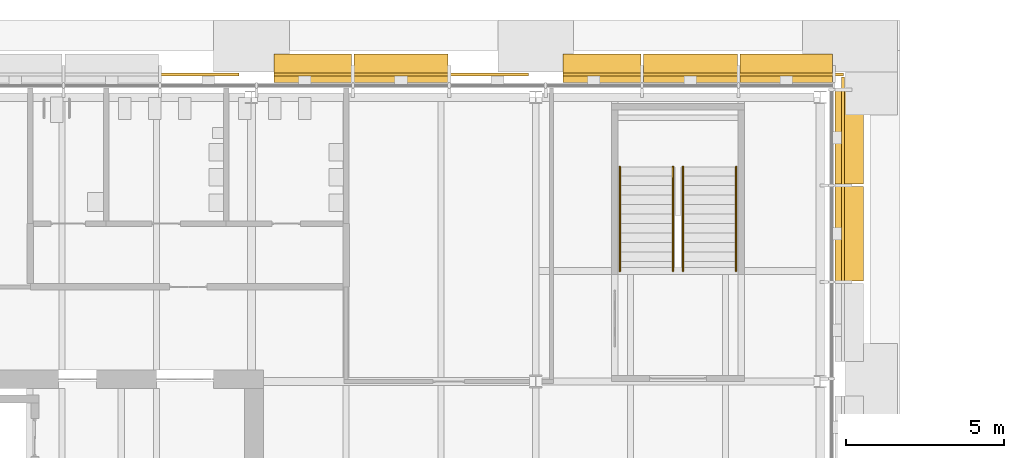
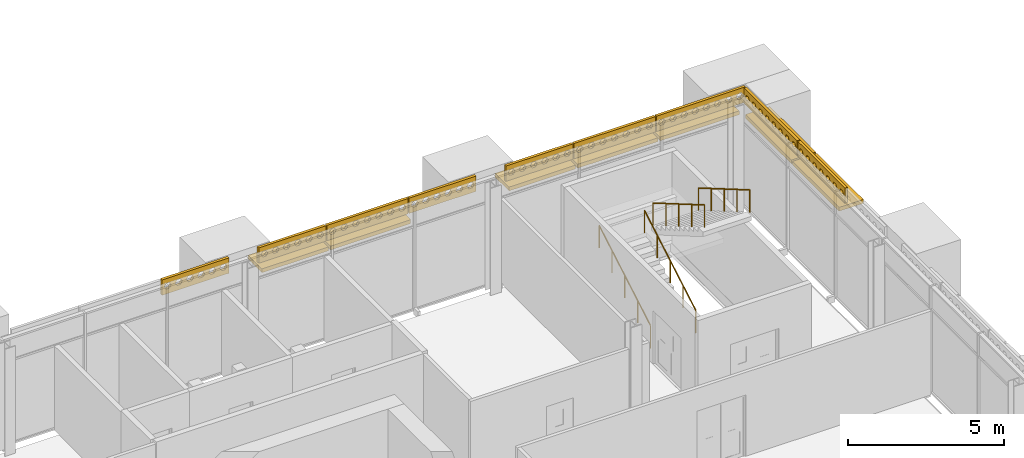
# One storey, part 149 of 153: 16 shading devices, 4 railings.
"""IFC4 building model written with IfcOpenShell, lengths in metres."""

import ifcopenshell
import ifcopenshell.guid

model = None  # the IFC model being written
_history = None  # IfcOwnerHistory: only IFC2X3 demands one
_inside = {}  # id of a spatial element -> (the spatial element, [elements in it])
_under = {}  # id of a project, library or spatial element -> (it, [spatial elements below it])
_declared = {}  # id of a project -> (the project, [libraries it declares])
_typed = {}  # id of a type object -> (the type object, [elements of that type])
_made_of = {}  # id of a material, layer set ... -> (it, [elements and type objects made of it])


def new_model(schema):
    """Start an empty IFC model of exactly this schema.

    Asked for "IFC4X3", IfcOpenShell would pick the latest addendum, in which some entities
    have other attributes; the version numbers below select the first issue.
    IFC2X3 requires an IfcOwnerHistory on every rooted entity: one is made here for all.
    """
    global model, _history
    if schema == "IFC4X3":
        model = ifcopenshell.file(schema_version=(4, 3, 0, 0))
    else:
        model = ifcopenshell.file(schema=schema)
    _inside.clear()
    _under.clear()
    _declared.clear()
    _typed.clear()
    _made_of.clear()
    _history = None
    if model.schema == "IFC2X3":
        org = make("IfcOrganization", Name="unknown")
        user = make(
            "IfcPersonAndOrganization",
            ThePerson=make("IfcPerson", FamilyName="unknown"),
            TheOrganization=org,
        )
        app = make(
            "IfcApplication",
            ApplicationDeveloper=org,
            Version="unknown",
            ApplicationFullName="unknown",
            ApplicationIdentifier="unknown",
        )
        _history = make(
            "IfcOwnerHistory",
            OwningUser=user,
            OwningApplication=app,
            ChangeAction="ADDED",
            CreationDate=0,
        )
    return model


def make(cls, **values):
    """One entity of the class cls with the attributes given. An attribute that is None is left unset."""
    return model.create_entity(
        cls, **{name: value for name, value in values.items() if value is not None}
    )


def rooted(cls, **values):
    """An entity with a GlobalId (a new one), such as an element, a storey or a relation."""
    return make(cls, GlobalId=ifcopenshell.guid.new(), OwnerHistory=_history, **values)


def si_unit(unit_type, name, prefix=None):
    """IfcSIUnit, for example si_unit("LENGTHUNIT", "METRE", prefix="MILLI")."""
    return make("IfcSIUnit", UnitType=unit_type, Prefix=prefix, Name=name)


def assignment(units):
    """IfcUnitAssignment: the units of a project."""
    return None if units is None else make("IfcUnitAssignment", Units=units)


def point(xyz):
    """IfcCartesianPoint."""
    return None if xyz is None else make("IfcCartesianPoint", Coordinates=xyz)


def direction(xyz):
    """IfcDirection."""
    return None if xyz is None else make("IfcDirection", DirectionRatios=xyz)


def frame(location, z_axis=None, x_axis=None):
    """IfcAxis2Placement3D, a coordinate frame: its origin and axes. An axis left out is left unset."""
    return make(
        "IfcAxis2Placement3D",
        Location=point(location),
        Axis=direction(z_axis),
        RefDirection=direction(x_axis),
    )


def frame_2d(location, x_axis=None):
    """IfcAxis2Placement2D, a coordinate frame in the plane: its origin and x axis."""
    return make(
        "IfcAxis2Placement2D", Location=point(location), RefDirection=direction(x_axis)
    )


def origin():
    """The frame at (0, 0, 0) with its axes left unset."""
    return frame((0.0, 0.0, 0.0))


def origin_2d():
    """The frame at (0, 0) in the plane with its x axis left unset."""
    return frame_2d((0.0, 0.0))


def place(relative_to, where):
    """IfcLocalPlacement: puts the frame where relative to a parent placement (None: the world)."""
    return make(
        "IfcLocalPlacement", PlacementRelTo=relative_to, RelativePlacement=where
    )


def context(
    kind, dimensions, precision=None, world=None, true_north=None, identifier=None
):
    """IfcGeometricRepresentationContext, for example the 3D "Model" context."""
    return make(
        "IfcGeometricRepresentationContext",
        ContextIdentifier=identifier,
        ContextType=kind,
        CoordinateSpaceDimension=dimensions,
        Precision=precision,
        WorldCoordinateSystem=world,
        TrueNorth=true_north,
    )


def subcontext(parent, identifier, kind, view, scale=None):
    """IfcGeometricRepresentationSubContext, for example "Body" below "Model"."""
    return make(
        "IfcGeometricRepresentationSubContext",
        ContextIdentifier=identifier,
        ContextType=kind,
        ParentContext=parent,
        TargetScale=scale,
        TargetView=view,
    )


def project(units=None, contexts=None):
    """IfcProject with its units and contexts."""
    return rooted(
        "IfcProject",
        Name="project",
        RepresentationContexts=contexts,
        UnitsInContext=assignment(units),
    )


def spatial(cls, under=None, at=None, **own):
    """A site, building, storey or space (cls), placed at a placement, below another one or the project."""
    s = rooted(cls, ObjectPlacement=at, **own)
    if under is not None:
        _under.setdefault(under.id(), (under, []))[1].append(s)
    return s


def polyline(points):
    """IfcPolyline through the points."""
    return make("IfcPolyline", Points=[point(p) for p in points])


def profile(cls, at=None, kind="AREA", **sizes):
    """A parametric profile (cls). Its sizes go by their IFC names, for example OverallWidth=200.0."""
    return make(cls, ProfileType=kind, Position=at, **sizes)


def rectangle(**sizes):
    """IfcRectangleProfileDef."""
    return profile("IfcRectangleProfileDef", **sizes)


def circle(**sizes):
    """IfcCircleProfileDef."""
    return profile("IfcCircleProfileDef", **sizes)


def outline(outer, holes=None, kind="AREA"):
    """IfcArbitraryClosedProfileDef: a profile drawn as a closed curve; with holes, ...WithVoids."""
    if holes is None:
        return make("IfcArbitraryClosedProfileDef", ProfileType=kind, OuterCurve=outer)
    return make(
        "IfcArbitraryProfileDefWithVoids",
        ProfileType=kind,
        OuterCurve=outer,
        InnerCurves=holes,
    )


def extrude(swept, where, along, depth):
    """IfcExtrudedAreaSolid: the profile swept, set in the frame where, extruded along a direction by depth."""
    return make(
        "IfcExtrudedAreaSolid",
        SweptArea=swept,
        Position=where,
        ExtrudedDirection=direction(along),
        Depth=depth,
    )


def shape(context_of_items, identifier, shape_type, items):
    """IfcShapeRepresentation: the items that make up one representation, for example the "Body"."""
    return make(
        "IfcShapeRepresentation",
        ContextOfItems=context_of_items,
        RepresentationIdentifier=identifier,
        RepresentationType=shape_type,
        Items=items,
    )


def material(Name=None, Category=None):
    """IfcMaterial."""
    return make("IfcMaterial", Name=Name, Category=Category)


def layer(
    of_material, thickness, ventilated=None, Name=None, Category=None, Priority=None
):
    """IfcMaterialLayer: one layer of a wall or slab, of a material (None: an air gap)."""
    return make(
        "IfcMaterialLayer",
        Material=of_material,
        LayerThickness=thickness,
        IsVentilated=ventilated,
        Name=Name,
        Category=Category,
        Priority=Priority,
    )


def layer_set(layers, Name=None):
    """IfcMaterialLayerSet."""
    return make("IfcMaterialLayerSet", MaterialLayers=layers, LayerSetName=Name)


def made_of(thing, what):
    """Note that an element or type object is made of a material, layer set ...; save() writes the relation."""
    if what is not None:
        _made_of.setdefault(what.id(), (what, []))[1].append(thing)
    return thing


def type_object(cls, material=None, **own):
    """A type object (cls), such as IfcWallType, which elements share."""
    return made_of(rooted(cls, **own), material)


def element(
    cls,
    number,
    at=None,
    inside=None,
    cuts=None,
    type_object=None,
    material=None,
    context=None,
    identifier="Body",
    shape_type=None,
    held_by="IfcProductDefinitionShape",
    body=None,
    shapes=None,
    **own,
):
    """One element of the class cls, such as IfcWall. Its Tag is "e" and its number.

    at: its placement. inside: the storey or other place that contains it. cuts: it is an
    opening in that element (IfcRelVoidsElement). A single representation is given by context,
    identifier, shape_type and body (its items); several are given by shapes. held_by: the class
    of the entity that holds the representations. save() writes the other relations.
    """
    e = rooted(cls, Tag="e%d" % number, ObjectPlacement=at, **own)
    if body is not None:
        shapes = [shape(context, identifier, shape_type, body)]
    if shapes is not None:
        e.Representation = make(held_by, Representations=shapes)
    if inside is not None:
        _inside.setdefault(inside.id(), (inside, []))[1].append(e)
    if cuts is not None:
        rooted(
            "IfcRelVoidsElement", RelatingBuildingElement=cuts, RelatedOpeningElement=e
        )
    if type_object is not None:
        _typed.setdefault(type_object.id(), (type_object, []))[1].append(e)
    return made_of(e, material)


def aggregate(whole, parts):
    """IfcRelAggregates: a whole, such as a stair, and the parts it consists of."""
    return rooted("IfcRelAggregates", RelatingObject=whole, RelatedObjects=parts)


def save(model, path):
    """Write the relations noted so far, then the file.

    IfcRelAggregates (storeys below a building ...), IfcRelContainedInSpatialStructure (elements
    in a storey), IfcRelDefinesByType, IfcRelAssociatesMaterial and IfcRelDeclares: one each for
    every whole, place, type object, material and project.
    """
    for whole, parts in _under.values():
        aggregate(whole, parts)
    for where, things in _inside.values():
        rooted(
            "IfcRelContainedInSpatialStructure",
            RelatedElements=things,
            RelatingStructure=where,
        )
    for kind, things in _typed.values():
        rooted("IfcRelDefinesByType", RelatedObjects=things, RelatingType=kind)
    for what, things in _made_of.values():
        rooted("IfcRelAssociatesMaterial", RelatedObjects=things, RelatingMaterial=what)
    for by, libraries in _declared.values():
        rooted("IfcRelDeclares", RelatingContext=by, RelatedDefinitions=libraries)
    model.write(path)


model = new_model("IFC4")

# Units and contexts
model_context = context("Model", 3, precision=1e-05, world=origin(), true_north=direction((0.0, 1.0)))
body_context = subcontext(model_context, "Body", "Model", "MODEL_VIEW")
ifc_project = project(units=[si_unit("LENGTHUNIT", "METRE"), si_unit("AREAUNIT", "SQUARE_METRE"), si_unit("VOLUMEUNIT", "CUBIC_METRE"), si_unit("PLANEANGLEUNIT", "RADIAN"), si_unit("MASSUNIT", "GRAM", prefix="KILO")], contexts=[model_context])

# Site, building, storey
site_placement = place(None, origin())
site = spatial("IfcSite", under=ifc_project, at=site_placement, CompositionType="ELEMENT")
building_placement = place(site_placement, origin())
building = spatial("IfcBuilding", under=site, at=building_placement, Name="Baradari Gate Terminus", CompositionType="ELEMENT")
storey_placement = place(building_placement, frame((0.0, 0.0, 11.699951171875)))
storey = spatial("IfcBuildingStorey", under=building, at=storey_placement, Name="L02", CompositionType="ELEMENT", Elevation=11.699951171875)

# Shading devices
ifc_material_1 = material(Name="Concrete C40/50 precast", Category="concrete")
ifc_layer_1 = layer(ifc_material_1, 0.14990234375)
ifc_layer_set_1 = layer_set([ifc_layer_1], Name="Concrete C40/50 precast")
shading_device_type_1 = type_object("IfcShadingDeviceType", Name="Chhajja band CJ-1 900x150", PredefinedType="AWNING", material=ifc_layer_set_1)
shading_device_1_placement = place(storey_placement, frame((46.937744140625, 144.919921875, 3.33251953125), z_axis=(0.0, 0.0, 1.0), x_axis=(1.0, 0.0, 0.0)))
element("IfcShadingDevice", 1, at=shading_device_1_placement, inside=storey, type_object=shading_device_type_1, Name="Chhajja band CJ-1 L02/TN bay 13", PredefinedType="AWNING", context=body_context, shape_type="SweptSolid", body=[
    extrude(rectangle(XDim=2.462158203125, YDim=0.89990234375, at=origin_2d()), origin(), (0.0, 0.0, 1.0), 0.14990234375),
])
shading_device_2_placement = place(storey_placement, frame((49.735107421875, 144.919921875, 3.33251953125), z_axis=(0.0, 0.0, 1.0), x_axis=(1.0, 0.0, 0.0)))
element("IfcShadingDevice", 2, at=shading_device_2_placement, inside=storey, type_object=shading_device_type_1, Name="Chhajja band CJ-1 L02/TN bay 14", PredefinedType="AWNING", context=body_context, shape_type="SweptSolid", body=[
    extrude(rectangle(XDim=2.97216796875, YDim=0.89990234375, at=origin_2d()), origin(), (0.0, 0.0, 1.0), 0.14990234375),
])
shading_device_3_placement = place(storey_placement, frame((56.094482421875, 144.919921875, 3.33251953125), z_axis=(0.0, 0.0, 1.0), x_axis=(1.0, 0.0, 0.0)))
element("IfcShadingDevice", 3, at=shading_device_3_placement, inside=storey, type_object=shading_device_type_1, Name="Chhajja band CJ-1 L02/TN bay 16", PredefinedType="AWNING", context=body_context, shape_type="SweptSolid", body=[
    extrude(rectangle(XDim=2.462158203125, YDim=0.89990234375, at=origin_2d()), origin(), (0.0, 0.0, 1.0), 0.14990234375),
])
shading_device_4_placement = place(storey_placement, frame((58.8916015625, 144.919921875, 3.33251953125), z_axis=(0.0, 0.0, 1.0), x_axis=(1.0, 0.0, 0.0)))
element("IfcShadingDevice", 4, at=shading_device_4_placement, inside=storey, type_object=shading_device_type_1, Name="Chhajja band CJ-1 L02/TN bay 17", PredefinedType="AWNING", context=body_context, shape_type="SweptSolid", body=[
    extrude(rectangle(XDim=2.97216796875, YDim=0.89990234375, at=origin_2d()), origin(), (0.0, 0.0, 1.0), 0.14990234375),
])
shading_device_5_placement = place(storey_placement, frame((61.927734375, 144.919921875, 3.33251953125), z_axis=(0.0, 0.0, 1.0), x_axis=(1.0, 0.0, 0.0)))
element("IfcShadingDevice", 5, at=shading_device_5_placement, inside=storey, type_object=shading_device_type_1, Name="Chhajja band CJ-1 L02/TN bay 18", PredefinedType="AWNING", context=body_context, shape_type="SweptSolid", body=[
    extrude(rectangle(XDim=2.939697265625, YDim=0.89990234375, at=origin_2d()), origin(), (0.0, 0.0, 1.0), 0.14990234375),
])
shading_device_6_placement = place(storey_placement, frame((63.919921875, 139.679931640625, 3.33251953125), z_axis=(0.0, 0.0, 1.0), x_axis=(0.0, 1.0, 0.0)))
element("IfcShadingDevice", 6, at=shading_device_6_placement, inside=storey, type_object=shading_device_type_1, Name="Chhajja band CJ-1 L02/TE bay 8", PredefinedType="AWNING", context=body_context, shape_type="SweptSolid", body=[
    extrude(rectangle(XDim=2.97998046875, YDim=0.89990234375, at=origin_2d()), origin(), (0.0, 0.0, 1.0), 0.14990234375),
])
shading_device_7_placement = place(storey_placement, frame((63.919921875, 142.7236328125, 3.33251953125), z_axis=(0.0, 0.0, 1.0), x_axis=(0.0, 1.0, 0.0)))
element("IfcShadingDevice", 7, at=shading_device_7_placement, inside=storey, type_object=shading_device_type_1, Name="Chhajja band CJ-1 L02/TE bay 9", PredefinedType="AWNING", context=body_context, shape_type="SweptSolid", body=[
    extrude(rectangle(XDim=2.947509765625, YDim=0.89990234375, at=origin_2d()), origin(), (0.0, 0.0, 1.0), 0.14990234375),
])

# Railings
ifc_material_2 = material(Name="Stainless steel 1.4301", Category="steel")
railing_type = type_object("IfcRailingType", Name="Handrail HR-1 900", PredefinedType="HANDRAIL", material=ifc_material_2)
for number, where, name in (
    (8, (56.659912109375, 138.5, 0.175048828125), "Handrail ST-T3 L02 flight 1"),
    (9, (58.340087890625, 138.5, 0.175048828125), "Handrail ST-T3 L02 flight 1"),
):
    element("IfcRailing", number, at=place(storey_placement, frame(where)), inside=storey, type_object=railing_type, Name=name, PredefinedType="HANDRAIL", context=body_context, shape_type="SweptSolid", body=[
        extrude(circle(Radius=0.02392578125, at=origin_2d()), frame((0.0, 0.0, 0.8759765625), z_axis=(0.0, 0.863776583165, 0.503874998761), x_axis=(-1.0, 0.0, 0.0)), (0.0, 0.0, 1.0), 3.820556640625),
        extrude(circle(Radius=0.02099609375, at=origin_2d()), origin(), (0.0, 0.0, 1.0), 0.851806640625),
        extrude(circle(Radius=0.02099609375, at=origin_2d()), frame((0.0, 0.824951171875, 0.481201171875)), (0.0, 0.0, 1.0), 0.851806640625),
        extrude(circle(Radius=0.02099609375, at=origin_2d()), frame((0.0, 1.64990234375, 0.96240234375)), (0.0, 0.0, 1.0), 0.851806640625),
        extrude(circle(Radius=0.02099609375, at=origin_2d()), frame((0.0, 2.47509765625, 1.44384765625)), (0.0, 0.0, 1.0), 0.851806640625),
        extrude(circle(Radius=0.02099609375, at=origin_2d()), frame((0.0, 3.300048828125, 1.925048828125)), (0.0, 0.0, 1.0), 0.851806640625),
    ])
for number, where, name in (
    (10, (58.659912109375, 141.800048828125, 2.275146484375), "Handrail ST-T3 L02 flight 2"),
    (11, (60.340087890625, 141.800048828125, 2.275146484375), "Handrail ST-T3 L02 flight 2"),
):
    element("IfcRailing", number, at=place(storey_placement, frame(where)), inside=storey, type_object=railing_type, Name=name, PredefinedType="HANDRAIL", context=body_context, shape_type="SweptSolid", body=[
        extrude(circle(Radius=0.02392578125, at=origin_2d()), frame((0.0, 0.0, 0.8759765625), z_axis=(0.0, -0.863804395585, 0.503827317807), x_axis=(1.0, 0.0, 0.0)), (0.0, 0.0, 1.0), 3.8203125),
        extrude(circle(Radius=0.02099609375, at=origin_2d()), origin(), (0.0, 0.0, 1.0), 0.851806640625),
        extrude(circle(Radius=0.02099609375, at=origin_2d()), frame((0.0, -0.824951171875, 0.481201171875)), (0.0, 0.0, 1.0), 0.851806640625),
        extrude(circle(Radius=0.02099609375, at=origin_2d()), frame((0.0, -1.64990234375, 0.96240234375)), (0.0, 0.0, 1.0), 0.851806640625),
        extrude(circle(Radius=0.02099609375, at=origin_2d()), frame((0.0, -2.47509765625, 1.443603515625)), (0.0, 0.0, 1.0), 0.851806640625),
        extrude(circle(Radius=0.02099609375, at=origin_2d()), frame((0.0, -3.300048828125, 1.9248046875)), (0.0, 0.0, 1.0), 0.851806640625),
    ])

# Shading devices
ifc_material_3 = material(Name="Concrete C50/60 precast", Category="concrete")
ifc_layer_2 = layer(ifc_material_3, 0.10009765625)
ifc_layer_set_2 = layer_set([ifc_layer_2], Name="Concrete C50/60 precast")
shading_device_type_2 = type_object("IfcShadingDeviceType", Name="Jali screen panel JS-1 100", PredefinedType="SHUTTER", material=ifc_layer_set_2)
for number, where, z_axis, x_axis, name in (
    (12, (42.12451171875, 144.719970703125, 3.583740234375), (0.0, 0.0, 1.0), (1.0, 0.0, 0.0), "Jali screen panel JS-1 L02/TN bay 12"),
    (13, (45.706787109375, 144.719970703125, 3.583740234375), (0.0, 0.0, 1.0), (1.0, 0.0, 0.0), "Jali screen panel JS-1 L02/TN bay 13"),
):
    element("IfcShadingDevice", number, at=place(storey_placement, frame(where, z_axis=z_axis, x_axis=x_axis)), inside=storey, type_object=shading_device_type_2, Name=name, PredefinedType="SHUTTER", context=body_context, shape_type="SweptSolid", body=[
        extrude(outline(polyline([(0.0, 0.0), (2.482177734375, 0.0), (2.482177734375, 0.60009765625), (0.0, 0.60009765625), (0.0, 0.0)]), holes=[polyline([(0.3369140625, 0.300048828125), (0.27197265625, 0.1875), (0.141845703125, 0.1875), (0.076904296875, 0.300048828125), (0.141845703125, 0.41259765625), (0.27197265625, 0.41259765625), (0.3369140625, 0.300048828125)]), polyline([(0.75048828125, 0.300048828125), (0.685546875, 0.1875), (0.5556640625, 0.1875), (0.490478515625, 0.300048828125), (0.5556640625, 0.41259765625), (0.685546875, 0.41259765625), (0.75048828125, 0.300048828125)]), polyline([(1.164306640625, 0.300048828125), (1.099365234375, 0.1875), (0.96923828125, 0.1875), (0.904296875, 0.300048828125), (0.96923828125, 0.41259765625), (1.099365234375, 0.41259765625), (1.164306640625, 0.300048828125)]), polyline([(1.577880859375, 0.300048828125), (1.512939453125, 0.1875), (1.383056640625, 0.1875), (1.31787109375, 0.300048828125), (1.383056640625, 0.41259765625), (1.512939453125, 0.41259765625), (1.577880859375, 0.300048828125)]), polyline([(1.99169921875, 0.300048828125), (1.9267578125, 0.1875), (1.796630859375, 0.1875), (1.731689453125, 0.300048828125), (1.796630859375, 0.41259765625), (1.9267578125, 0.41259765625), (1.99169921875, 0.300048828125)]), polyline([(2.4052734375, 0.300048828125), (2.34033203125, 0.1875), (2.21044921875, 0.1875), (2.145263671875, 0.300048828125), (2.21044921875, 0.41259765625), (2.34033203125, 0.41259765625), (2.4052734375, 0.300048828125)])]), frame((0.0, 0.050048828125, 0.0), z_axis=(0.0, -1.0, 0.0), x_axis=(1.0, 0.0, 0.0)), (0.0, 0.0, 1.0), 0.10009765625),
    ])
shading_device_8_placement = place(storey_placement, frame((48.22900390625, 144.719970703125, 3.583740234375), z_axis=(0.0, 0.0, 1.0), x_axis=(1.0, 0.0, 0.0)))
element("IfcShadingDevice", 14, at=shading_device_8_placement, inside=storey, type_object=shading_device_type_2, Name="Jali screen panel JS-1 L02/TN bay 14", PredefinedType="SHUTTER", context=body_context, shape_type="SweptSolid", body=[
    extrude(outline(polyline([(0.0, 0.0), (3.01220703125, 0.0), (3.01220703125, 0.60009765625), (0.0, 0.60009765625), (0.0, 0.0)]), holes=[polyline([(0.34521484375, 0.300048828125), (0.2802734375, 0.1875), (0.150146484375, 0.1875), (0.085205078125, 0.300048828125), (0.150146484375, 0.41259765625), (0.2802734375, 0.41259765625), (0.34521484375, 0.300048828125)]), polyline([(0.775390625, 0.300048828125), (0.71044921875, 0.1875), (0.58056640625, 0.1875), (0.515380859375, 0.300048828125), (0.58056640625, 0.41259765625), (0.71044921875, 0.41259765625), (0.775390625, 0.300048828125)]), polyline([(1.205810546875, 0.300048828125), (1.140869140625, 0.1875), (1.0107421875, 0.1875), (0.94580078125, 0.300048828125), (1.0107421875, 0.41259765625), (1.140869140625, 0.41259765625), (1.205810546875, 0.300048828125)]), polyline([(1.63623046875, 0.300048828125), (1.571044921875, 0.1875), (1.441162109375, 0.1875), (1.376220703125, 0.300048828125), (1.441162109375, 0.41259765625), (1.571044921875, 0.41259765625), (1.63623046875, 0.300048828125)]), polyline([(2.06640625, 0.300048828125), (2.00146484375, 0.1875), (1.871337890625, 0.1875), (1.806396484375, 0.300048828125), (1.871337890625, 0.41259765625), (2.00146484375, 0.41259765625), (2.06640625, 0.300048828125)]), polyline([(2.496826171875, 0.300048828125), (2.431640625, 0.1875), (2.3017578125, 0.1875), (2.23681640625, 0.300048828125), (2.3017578125, 0.41259765625), (2.431640625, 0.41259765625), (2.496826171875, 0.300048828125)]), polyline([(2.927001953125, 0.300048828125), (2.862060546875, 0.1875), (2.732177734375, 0.1875), (2.6669921875, 0.300048828125), (2.732177734375, 0.41259765625), (2.862060546875, 0.41259765625), (2.927001953125, 0.300048828125)])]), frame((0.0, 0.050048828125, 0.0), z_axis=(0.0, -1.0, 0.0), x_axis=(1.0, 0.0, 0.0)), (0.0, 0.0, 1.0), 0.10009765625),
])
shading_device_9_placement = place(storey_placement, frame((51.281005859375, 144.719970703125, 3.583740234375), z_axis=(0.0, 0.0, 1.0), x_axis=(1.0, 0.0, 0.0)))
element("IfcShadingDevice", 15, at=shading_device_9_placement, inside=storey, type_object=shading_device_type_2, Name="Jali screen panel JS-1 L02/TN bay 15", PredefinedType="SHUTTER", context=body_context, shape_type="SweptSolid", body=[
    extrude(outline(polyline([(0.0, 0.0), (2.482421875, 0.0), (2.482421875, 0.60009765625), (0.0, 0.60009765625), (0.0, 0.0)]), holes=[polyline([(0.3369140625, 0.300048828125), (0.27197265625, 0.1875), (0.141845703125, 0.1875), (0.076904296875, 0.300048828125), (0.141845703125, 0.41259765625), (0.27197265625, 0.41259765625), (0.3369140625, 0.300048828125)]), polyline([(0.75048828125, 0.300048828125), (0.685546875, 0.1875), (0.5556640625, 0.1875), (0.490478515625, 0.300048828125), (0.5556640625, 0.41259765625), (0.685546875, 0.41259765625), (0.75048828125, 0.300048828125)]), polyline([(1.164306640625, 0.300048828125), (1.099365234375, 0.1875), (0.96923828125, 0.1875), (0.904296875, 0.300048828125), (0.96923828125, 0.41259765625), (1.099365234375, 0.41259765625), (1.164306640625, 0.300048828125)]), polyline([(1.577880859375, 0.300048828125), (1.512939453125, 0.1875), (1.383056640625, 0.1875), (1.31787109375, 0.300048828125), (1.383056640625, 0.41259765625), (1.512939453125, 0.41259765625), (1.577880859375, 0.300048828125)]), polyline([(1.99169921875, 0.300048828125), (1.9267578125, 0.1875), (1.796630859375, 0.1875), (1.731689453125, 0.300048828125), (1.796630859375, 0.41259765625), (1.9267578125, 0.41259765625), (1.99169921875, 0.300048828125)]), polyline([(2.4052734375, 0.300048828125), (2.34033203125, 0.1875), (2.21044921875, 0.1875), (2.145263671875, 0.300048828125), (2.21044921875, 0.41259765625), (2.34033203125, 0.41259765625), (2.4052734375, 0.300048828125)])]), frame((0.0, 0.050048828125, 0.0), z_axis=(0.0, -1.0, 0.0), x_axis=(1.0, 0.0, 0.0)), (0.0, 0.0, 1.0), 0.10009765625),
])
shading_device_10_placement = place(storey_placement, frame((54.86328125, 144.719970703125, 3.583740234375), z_axis=(0.0, 0.0, 1.0), x_axis=(1.0, 0.0, 0.0)))
element("IfcShadingDevice", 16, at=shading_device_10_placement, inside=storey, type_object=shading_device_type_2, Name="Jali screen panel JS-1 L02/TN bay 16", PredefinedType="SHUTTER", context=body_context, shape_type="SweptSolid", body=[
    extrude(outline(polyline([(0.0, 0.0), (2.482177734375, 0.0), (2.482177734375, 0.60009765625), (0.0, 0.60009765625), (0.0, 0.0)]), holes=[polyline([(0.3369140625, 0.300048828125), (0.27197265625, 0.1875), (0.141845703125, 0.1875), (0.076904296875, 0.300048828125), (0.141845703125, 0.41259765625), (0.27197265625, 0.41259765625), (0.3369140625, 0.300048828125)]), polyline([(0.75048828125, 0.300048828125), (0.685546875, 0.1875), (0.5556640625, 0.1875), (0.490478515625, 0.300048828125), (0.5556640625, 0.41259765625), (0.685546875, 0.41259765625), (0.75048828125, 0.300048828125)]), polyline([(1.164306640625, 0.300048828125), (1.099365234375, 0.1875), (0.96923828125, 0.1875), (0.904296875, 0.300048828125), (0.96923828125, 0.41259765625), (1.099365234375, 0.41259765625), (1.164306640625, 0.300048828125)]), polyline([(1.577880859375, 0.300048828125), (1.512939453125, 0.1875), (1.383056640625, 0.1875), (1.31787109375, 0.300048828125), (1.383056640625, 0.41259765625), (1.512939453125, 0.41259765625), (1.577880859375, 0.300048828125)]), polyline([(1.99169921875, 0.300048828125), (1.9267578125, 0.1875), (1.796630859375, 0.1875), (1.731689453125, 0.300048828125), (1.796630859375, 0.41259765625), (1.9267578125, 0.41259765625), (1.99169921875, 0.300048828125)]), polyline([(2.4052734375, 0.300048828125), (2.34033203125, 0.1875), (2.21044921875, 0.1875), (2.145263671875, 0.300048828125), (2.21044921875, 0.41259765625), (2.34033203125, 0.41259765625), (2.4052734375, 0.300048828125)])]), frame((0.0, 0.050048828125, 0.0), z_axis=(0.0, -1.0, 0.0), x_axis=(1.0, 0.0, 0.0)), (0.0, 0.0, 1.0), 0.10009765625),
])
shading_device_11_placement = place(storey_placement, frame((57.385498046875, 144.719970703125, 3.583740234375), z_axis=(0.0, 0.0, 1.0), x_axis=(1.0, 0.0, 0.0)))
element("IfcShadingDevice", 17, at=shading_device_11_placement, inside=storey, type_object=shading_device_type_2, Name="Jali screen panel JS-1 L02/TN bay 17", PredefinedType="SHUTTER", context=body_context, shape_type="SweptSolid", body=[
    extrude(outline(polyline([(0.0, 0.0), (3.01220703125, 0.0), (3.01220703125, 0.60009765625), (0.0, 0.60009765625), (0.0, 0.0)]), holes=[polyline([(0.34521484375, 0.300048828125), (0.2802734375, 0.1875), (0.150146484375, 0.1875), (0.085205078125, 0.300048828125), (0.150146484375, 0.41259765625), (0.2802734375, 0.41259765625), (0.34521484375, 0.300048828125)]), polyline([(0.775390625, 0.300048828125), (0.71044921875, 0.1875), (0.58056640625, 0.1875), (0.515380859375, 0.300048828125), (0.58056640625, 0.41259765625), (0.71044921875, 0.41259765625), (0.775390625, 0.300048828125)]), polyline([(1.205810546875, 0.300048828125), (1.140869140625, 0.1875), (1.0107421875, 0.1875), (0.94580078125, 0.300048828125), (1.0107421875, 0.41259765625), (1.140869140625, 0.41259765625), (1.205810546875, 0.300048828125)]), polyline([(1.63623046875, 0.300048828125), (1.571044921875, 0.1875), (1.441162109375, 0.1875), (1.376220703125, 0.300048828125), (1.441162109375, 0.41259765625), (1.571044921875, 0.41259765625), (1.63623046875, 0.300048828125)]), polyline([(2.06640625, 0.300048828125), (2.00146484375, 0.1875), (1.871337890625, 0.1875), (1.806396484375, 0.300048828125), (1.871337890625, 0.41259765625), (2.00146484375, 0.41259765625), (2.06640625, 0.300048828125)]), polyline([(2.496826171875, 0.300048828125), (2.431640625, 0.1875), (2.3017578125, 0.1875), (2.23681640625, 0.300048828125), (2.3017578125, 0.41259765625), (2.431640625, 0.41259765625), (2.496826171875, 0.300048828125)]), polyline([(2.927001953125, 0.300048828125), (2.862060546875, 0.1875), (2.732177734375, 0.1875), (2.6669921875, 0.300048828125), (2.732177734375, 0.41259765625), (2.862060546875, 0.41259765625), (2.927001953125, 0.300048828125)])]), frame((0.0, 0.050048828125, 0.0), z_axis=(0.0, -1.0, 0.0), x_axis=(1.0, 0.0, 0.0)), (0.0, 0.0, 1.0), 0.10009765625),
])
shading_device_12_placement = place(storey_placement, frame((60.437744140625, 144.719970703125, 3.583740234375), z_axis=(0.0, 0.0, 1.0), x_axis=(1.0, 0.0, 0.0)))
element("IfcShadingDevice", 18, at=shading_device_12_placement, inside=storey, type_object=shading_device_type_2, Name="Jali screen panel JS-1 L02/TN bay 18", PredefinedType="SHUTTER", context=body_context, shape_type="SweptSolid", body=[
    extrude(outline(polyline([(0.0, 0.0), (3.2998046875, 0.0), (3.2998046875, 0.60009765625), (0.0, 0.60009765625), (0.0, 0.0)]), holes=[polyline([(0.336181640625, 0.300048828125), (0.271240234375, 0.1875), (0.14111328125, 0.1875), (0.076171875, 0.300048828125), (0.14111328125, 0.41259765625), (0.271240234375, 0.41259765625), (0.336181640625, 0.300048828125)]), polyline([(0.748779296875, 0.300048828125), (0.68359375, 0.1875), (0.5537109375, 0.1875), (0.48876953125, 0.300048828125), (0.5537109375, 0.41259765625), (0.68359375, 0.41259765625), (0.748779296875, 0.300048828125)]), polyline([(1.1611328125, 0.300048828125), (1.09619140625, 0.1875), (0.966064453125, 0.1875), (0.901123046875, 0.300048828125), (0.966064453125, 0.41259765625), (1.09619140625, 0.41259765625), (1.1611328125, 0.300048828125)]), polyline([(1.57373046875, 0.300048828125), (1.508544921875, 0.1875), (1.378662109375, 0.1875), (1.313720703125, 0.300048828125), (1.378662109375, 0.41259765625), (1.508544921875, 0.41259765625), (1.57373046875, 0.300048828125)]), polyline([(1.986083984375, 0.300048828125), (1.921142578125, 0.1875), (1.791015625, 0.1875), (1.72607421875, 0.300048828125), (1.791015625, 0.41259765625), (1.921142578125, 0.41259765625), (1.986083984375, 0.300048828125)]), polyline([(2.3984375, 0.300048828125), (2.33349609375, 0.1875), (2.20361328125, 0.1875), (2.138671875, 0.300048828125), (2.20361328125, 0.41259765625), (2.33349609375, 0.41259765625), (2.3984375, 0.300048828125)]), polyline([(2.81103515625, 0.300048828125), (2.74609375, 0.1875), (2.615966796875, 0.1875), (2.551025390625, 0.300048828125), (2.615966796875, 0.41259765625), (2.74609375, 0.41259765625), (2.81103515625, 0.300048828125)]), polyline([(3.223388671875, 0.300048828125), (3.158447265625, 0.1875), (3.028564453125, 0.1875), (2.96337890625, 0.300048828125), (3.028564453125, 0.41259765625), (3.158447265625, 0.41259765625), (3.223388671875, 0.300048828125)])]), frame((0.0, 0.050048828125, 0.0), z_axis=(0.0, -1.0, 0.0), x_axis=(1.0, 0.0, 0.0)), (0.0, 0.0, 1.0), 0.10009765625),
])
shading_device_13_placement = place(storey_placement, frame((63.719970703125, 138.169921875, 3.583740234375), z_axis=(0.0, 0.0, 1.0), x_axis=(0.0, 1.0, 0.0)))
element("IfcShadingDevice", 19, at=shading_device_13_placement, inside=storey, type_object=shading_device_type_2, Name="Jali screen panel JS-1 L02/TE bay 8", PredefinedType="SHUTTER", context=body_context, shape_type="SweptSolid", body=[
    extrude(outline(polyline([(0.0, 0.0), (3.02001953125, 0.0), (3.02001953125, 0.60009765625), (0.0, 0.60009765625), (0.0, 0.0)]), holes=[polyline([(0.345703125, 0.300048828125), (0.28076171875, 0.1875), (0.150634765625, 0.1875), (0.085693359375, 0.300048828125), (0.150634765625, 0.41259765625), (0.28076171875, 0.41259765625), (0.345703125, 0.300048828125)]), polyline([(0.777099609375, 0.300048828125), (0.712158203125, 0.1875), (0.58203125, 0.1875), (0.51708984375, 0.300048828125), (0.58203125, 0.41259765625), (0.712158203125, 0.41259765625), (0.777099609375, 0.300048828125)]), polyline([(1.20849609375, 0.300048828125), (1.1435546875, 0.1875), (1.013671875, 0.1875), (0.948486328125, 0.300048828125), (1.013671875, 0.41259765625), (1.1435546875, 0.41259765625), (1.20849609375, 0.300048828125)]), polyline([(1.639892578125, 0.300048828125), (1.574951171875, 0.1875), (1.445068359375, 0.1875), (1.3798828125, 0.300048828125), (1.445068359375, 0.41259765625), (1.574951171875, 0.41259765625), (1.639892578125, 0.300048828125)]), polyline([(2.071533203125, 0.300048828125), (2.00634765625, 0.1875), (1.87646484375, 0.1875), (1.8115234375, 0.300048828125), (1.87646484375, 0.41259765625), (2.00634765625, 0.41259765625), (2.071533203125, 0.300048828125)]), polyline([(2.5029296875, 0.300048828125), (2.437744140625, 0.1875), (2.307861328125, 0.1875), (2.242919921875, 0.300048828125), (2.307861328125, 0.41259765625), (2.437744140625, 0.41259765625), (2.5029296875, 0.300048828125)]), polyline([(2.934326171875, 0.300048828125), (2.869384765625, 0.1875), (2.7392578125, 0.1875), (2.67431640625, 0.300048828125), (2.7392578125, 0.41259765625), (2.869384765625, 0.41259765625), (2.934326171875, 0.300048828125)])]), frame((0.0, 0.050048828125, 0.0), z_axis=(0.0, -1.0, 0.0), x_axis=(1.0, 0.0, 0.0)), (0.0, 0.0, 1.0), 0.10009765625),
])
shading_device_14_placement = place(storey_placement, frame((63.719970703125, 141.22998046875, 3.583740234375), z_axis=(0.0, 0.0, 1.0), x_axis=(0.0, 1.0, 0.0)))
element("IfcShadingDevice", 20, at=shading_device_14_placement, inside=storey, type_object=shading_device_type_2, Name="Jali screen panel JS-1 L02/TE bay 9", PredefinedType="SHUTTER", context=body_context, shape_type="SweptSolid", body=[
    extrude(outline(polyline([(0.0, 0.0), (3.407470703125, 0.0), (3.407470703125, 0.60009765625), (0.0, 0.60009765625), (0.0, 0.0)]), holes=[polyline([(0.343017578125, 0.300048828125), (0.278076171875, 0.1875), (0.14794921875, 0.1875), (0.0830078125, 0.300048828125), (0.14794921875, 0.41259765625), (0.278076171875, 0.41259765625), (0.343017578125, 0.300048828125)]), polyline([(0.768798828125, 0.300048828125), (0.703857421875, 0.1875), (0.573974609375, 0.1875), (0.5087890625, 0.300048828125), (0.573974609375, 0.41259765625), (0.703857421875, 0.41259765625), (0.768798828125, 0.300048828125)]), polyline([(1.19482421875, 0.300048828125), (1.1298828125, 0.1875), (0.999755859375, 0.1875), (0.934814453125, 0.300048828125), (0.999755859375, 0.41259765625), (1.1298828125, 0.41259765625), (1.19482421875, 0.300048828125)]), polyline([(1.620849609375, 0.300048828125), (1.5556640625, 0.1875), (1.42578125, 0.1875), (1.36083984375, 0.300048828125), (1.42578125, 0.41259765625), (1.5556640625, 0.41259765625), (1.620849609375, 0.300048828125)]), polyline([(2.046630859375, 0.300048828125), (1.981689453125, 0.1875), (1.851806640625, 0.1875), (1.78662109375, 0.300048828125), (1.851806640625, 0.41259765625), (1.981689453125, 0.41259765625), (2.046630859375, 0.300048828125)]), polyline([(2.47265625, 0.300048828125), (2.40771484375, 0.1875), (2.277587890625, 0.1875), (2.212646484375, 0.300048828125), (2.277587890625, 0.41259765625), (2.40771484375, 0.41259765625), (2.47265625, 0.300048828125)]), polyline([(2.898681640625, 0.300048828125), (2.83349609375, 0.1875), (2.70361328125, 0.1875), (2.638671875, 0.300048828125), (2.70361328125, 0.41259765625), (2.83349609375, 0.41259765625), (2.898681640625, 0.300048828125)]), polyline([(3.324462890625, 0.300048828125), (3.259521484375, 0.1875), (3.129638671875, 0.1875), (3.064453125, 0.300048828125), (3.129638671875, 0.41259765625), (3.259521484375, 0.41259765625), (3.324462890625, 0.300048828125)])]), frame((0.0, 0.050048828125, 0.0), z_axis=(0.0, -1.0, 0.0), x_axis=(1.0, 0.0, 0.0)), (0.0, 0.0, 1.0), 0.10009765625),
])

save(model, "model.ifc")
